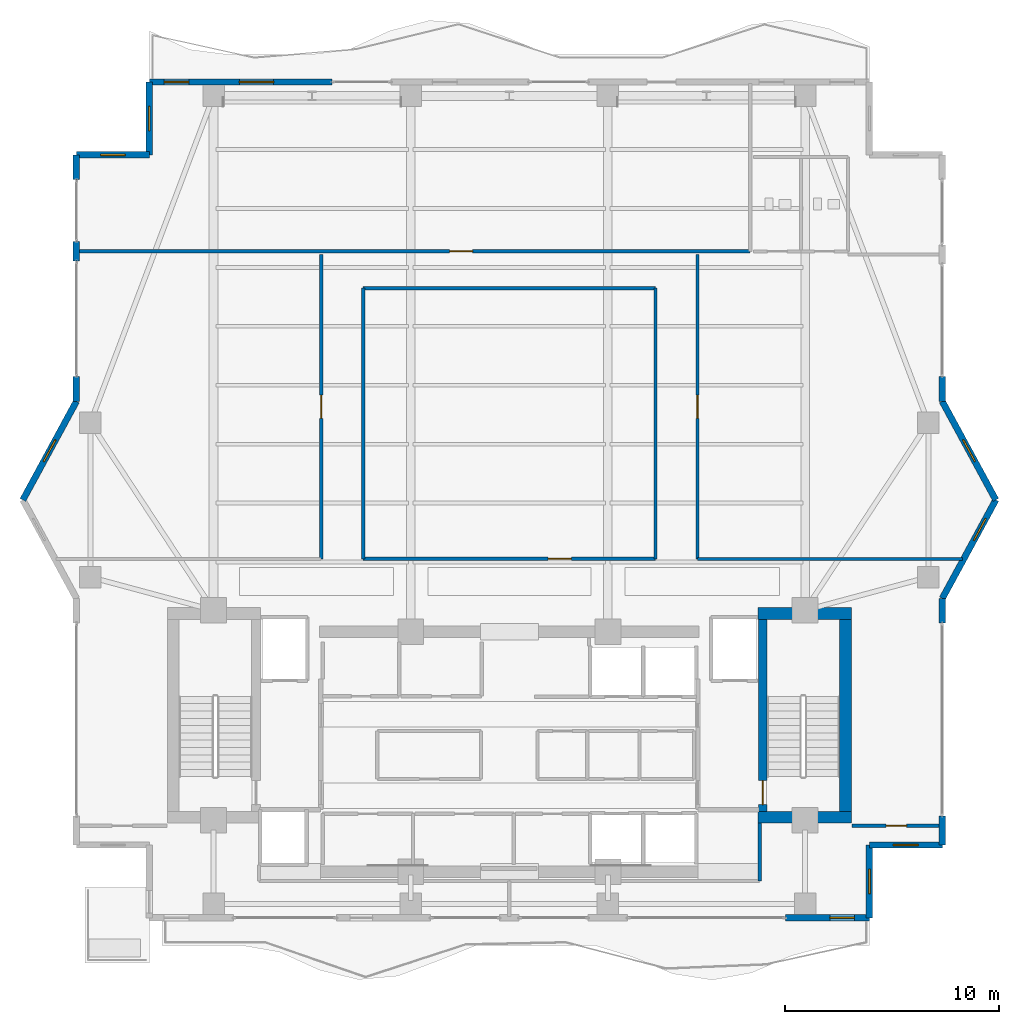
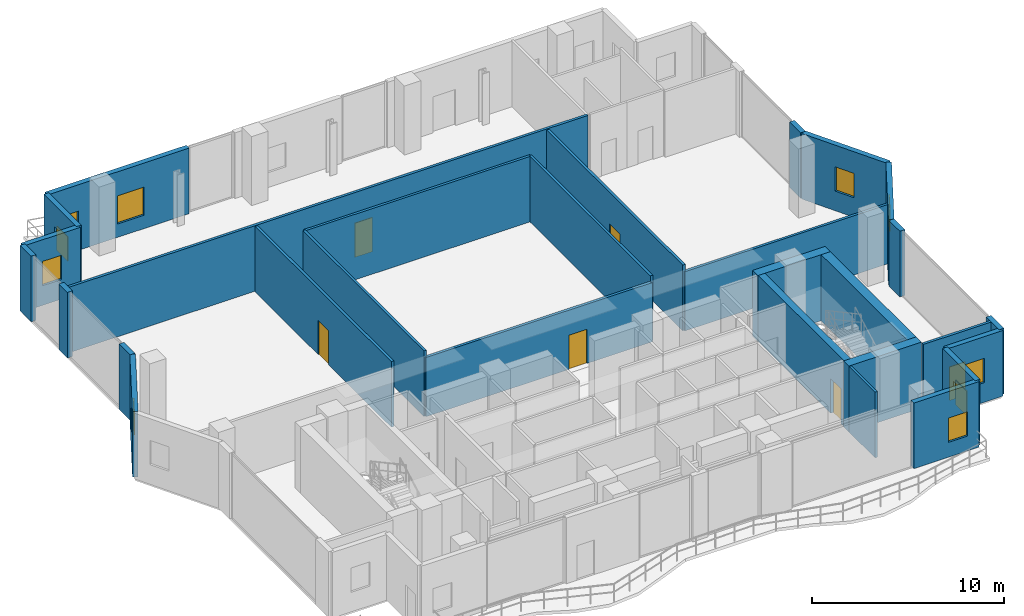
# One storey, part 20 of 24: 29 walls, 10 windows, 6 doors, 16 openings.
"""IFC4 building model written with IfcOpenShell, lengths in metres."""

import ifcopenshell
import ifcopenshell.guid

model = None  # the IFC model being written
_history = None  # IfcOwnerHistory: only IFC2X3 demands one
_inside = {}  # id of a spatial element -> (the spatial element, [elements in it])
_under = {}  # id of a project, library or spatial element -> (it, [spatial elements below it])
_declared = {}  # id of a project -> (the project, [libraries it declares])
_typed = {}  # id of a type object -> (the type object, [elements of that type])
_made_of = {}  # id of a material, layer set ... -> (it, [elements and type objects made of it])


def new_model(schema):
    """Start an empty IFC model of exactly this schema.

    Asked for "IFC4X3", IfcOpenShell would pick the latest addendum, in which some entities
    have other attributes; the version numbers below select the first issue.
    IFC2X3 requires an IfcOwnerHistory on every rooted entity: one is made here for all.
    """
    global model, _history
    if schema == "IFC4X3":
        model = ifcopenshell.file(schema_version=(4, 3, 0, 0))
    else:
        model = ifcopenshell.file(schema=schema)
    _inside.clear()
    _under.clear()
    _declared.clear()
    _typed.clear()
    _made_of.clear()
    _history = None
    if model.schema == "IFC2X3":
        org = make("IfcOrganization", Name="unknown")
        user = make(
            "IfcPersonAndOrganization",
            ThePerson=make("IfcPerson", FamilyName="unknown"),
            TheOrganization=org,
        )
        app = make(
            "IfcApplication",
            ApplicationDeveloper=org,
            Version="unknown",
            ApplicationFullName="unknown",
            ApplicationIdentifier="unknown",
        )
        _history = make(
            "IfcOwnerHistory",
            OwningUser=user,
            OwningApplication=app,
            ChangeAction="ADDED",
            CreationDate=0,
        )
    return model


def make(cls, **values):
    """One entity of the class cls with the attributes given. An attribute that is None is left unset."""
    return model.create_entity(
        cls, **{name: value for name, value in values.items() if value is not None}
    )


def rooted(cls, **values):
    """An entity with a GlobalId (a new one), such as an element, a storey or a relation."""
    return make(cls, GlobalId=ifcopenshell.guid.new(), OwnerHistory=_history, **values)


def si_unit(unit_type, name, prefix=None):
    """IfcSIUnit, for example si_unit("LENGTHUNIT", "METRE", prefix="MILLI")."""
    return make("IfcSIUnit", UnitType=unit_type, Prefix=prefix, Name=name)


def assignment(units):
    """IfcUnitAssignment: the units of a project."""
    return None if units is None else make("IfcUnitAssignment", Units=units)


def point(xyz):
    """IfcCartesianPoint."""
    return None if xyz is None else make("IfcCartesianPoint", Coordinates=xyz)


def direction(xyz):
    """IfcDirection."""
    return None if xyz is None else make("IfcDirection", DirectionRatios=xyz)


def frame(location, z_axis=None, x_axis=None):
    """IfcAxis2Placement3D, a coordinate frame: its origin and axes. An axis left out is left unset."""
    return make(
        "IfcAxis2Placement3D",
        Location=point(location),
        Axis=direction(z_axis),
        RefDirection=direction(x_axis),
    )


def frame_2d(location, x_axis=None):
    """IfcAxis2Placement2D, a coordinate frame in the plane: its origin and x axis."""
    return make(
        "IfcAxis2Placement2D", Location=point(location), RefDirection=direction(x_axis)
    )


def origin():
    """The frame at (0, 0, 0) with its axes left unset."""
    return frame((0.0, 0.0, 0.0))


def place(relative_to, where):
    """IfcLocalPlacement: puts the frame where relative to a parent placement (None: the world)."""
    return make(
        "IfcLocalPlacement", PlacementRelTo=relative_to, RelativePlacement=where
    )


def context(
    kind, dimensions, precision=None, world=None, true_north=None, identifier=None
):
    """IfcGeometricRepresentationContext, for example the 3D "Model" context."""
    return make(
        "IfcGeometricRepresentationContext",
        ContextIdentifier=identifier,
        ContextType=kind,
        CoordinateSpaceDimension=dimensions,
        Precision=precision,
        WorldCoordinateSystem=world,
        TrueNorth=true_north,
    )


def subcontext(parent, identifier, kind, view, scale=None):
    """IfcGeometricRepresentationSubContext, for example "Body" below "Model"."""
    return make(
        "IfcGeometricRepresentationSubContext",
        ContextIdentifier=identifier,
        ContextType=kind,
        ParentContext=parent,
        TargetScale=scale,
        TargetView=view,
    )


def project(units=None, contexts=None):
    """IfcProject with its units and contexts."""
    return rooted(
        "IfcProject",
        Name="project",
        RepresentationContexts=contexts,
        UnitsInContext=assignment(units),
    )


def spatial(cls, under=None, at=None, **own):
    """A site, building, storey or space (cls), placed at a placement, below another one or the project."""
    s = rooted(cls, ObjectPlacement=at, **own)
    if under is not None:
        _under.setdefault(under.id(), (under, []))[1].append(s)
    return s


def profile(cls, at=None, kind="AREA", **sizes):
    """A parametric profile (cls). Its sizes go by their IFC names, for example OverallWidth=200.0."""
    return make(cls, ProfileType=kind, Position=at, **sizes)


def rectangle(**sizes):
    """IfcRectangleProfileDef."""
    return profile("IfcRectangleProfileDef", **sizes)


def extrude(swept, where, along, depth):
    """IfcExtrudedAreaSolid: the profile swept, set in the frame where, extruded along a direction by depth."""
    return make(
        "IfcExtrudedAreaSolid",
        SweptArea=swept,
        Position=where,
        ExtrudedDirection=direction(along),
        Depth=depth,
    )


def shape(context_of_items, identifier, shape_type, items):
    """IfcShapeRepresentation: the items that make up one representation, for example the "Body"."""
    return make(
        "IfcShapeRepresentation",
        ContextOfItems=context_of_items,
        RepresentationIdentifier=identifier,
        RepresentationType=shape_type,
        Items=items,
    )


def material(Name=None, Category=None):
    """IfcMaterial."""
    return make("IfcMaterial", Name=Name, Category=Category)


def layer(
    of_material, thickness, ventilated=None, Name=None, Category=None, Priority=None
):
    """IfcMaterialLayer: one layer of a wall or slab, of a material (None: an air gap)."""
    return make(
        "IfcMaterialLayer",
        Material=of_material,
        LayerThickness=thickness,
        IsVentilated=ventilated,
        Name=Name,
        Category=Category,
        Priority=Priority,
    )


def layer_set(layers, Name=None):
    """IfcMaterialLayerSet."""
    return make("IfcMaterialLayerSet", MaterialLayers=layers, LayerSetName=Name)


def made_of(thing, what):
    """Note that an element or type object is made of a material, layer set ...; save() writes the relation."""
    if what is not None:
        _made_of.setdefault(what.id(), (what, []))[1].append(thing)
    return thing


def type_object(cls, material=None, **own):
    """A type object (cls), such as IfcWallType, which elements share."""
    return made_of(rooted(cls, **own), material)


def element(
    cls,
    number,
    at=None,
    inside=None,
    cuts=None,
    type_object=None,
    material=None,
    context=None,
    identifier="Body",
    shape_type=None,
    held_by="IfcProductDefinitionShape",
    body=None,
    shapes=None,
    **own,
):
    """One element of the class cls, such as IfcWall. Its Tag is "e" and its number.

    at: its placement. inside: the storey or other place that contains it. cuts: it is an
    opening in that element (IfcRelVoidsElement). A single representation is given by context,
    identifier, shape_type and body (its items); several are given by shapes. held_by: the class
    of the entity that holds the representations. save() writes the other relations.
    """
    e = rooted(cls, Tag="e%d" % number, ObjectPlacement=at, **own)
    if body is not None:
        shapes = [shape(context, identifier, shape_type, body)]
    if shapes is not None:
        e.Representation = make(held_by, Representations=shapes)
    if inside is not None:
        _inside.setdefault(inside.id(), (inside, []))[1].append(e)
    if cuts is not None:
        rooted(
            "IfcRelVoidsElement", RelatingBuildingElement=cuts, RelatedOpeningElement=e
        )
    if type_object is not None:
        _typed.setdefault(type_object.id(), (type_object, []))[1].append(e)
    return made_of(e, material)


def fill(opening, filler):
    """IfcRelFillsElement: the door or window that sits in an opening."""
    return rooted(
        "IfcRelFillsElement",
        RelatingOpeningElement=opening,
        RelatedBuildingElement=filler,
    )


def aggregate(whole, parts):
    """IfcRelAggregates: a whole, such as a stair, and the parts it consists of."""
    return rooted("IfcRelAggregates", RelatingObject=whole, RelatedObjects=parts)


def save(model, path):
    """Write the relations noted so far, then the file.

    IfcRelAggregates (storeys below a building ...), IfcRelContainedInSpatialStructure (elements
    in a storey), IfcRelDefinesByType, IfcRelAssociatesMaterial and IfcRelDeclares: one each for
    every whole, place, type object, material and project.
    """
    for whole, parts in _under.values():
        aggregate(whole, parts)
    for where, things in _inside.values():
        rooted(
            "IfcRelContainedInSpatialStructure",
            RelatedElements=things,
            RelatingStructure=where,
        )
    for kind, things in _typed.values():
        rooted("IfcRelDefinesByType", RelatedObjects=things, RelatingType=kind)
    for what, things in _made_of.values():
        rooted("IfcRelAssociatesMaterial", RelatedObjects=things, RelatingMaterial=what)
    for by, libraries in _declared.values():
        rooted("IfcRelDeclares", RelatingContext=by, RelatedDefinitions=libraries)
    model.write(path)


model = new_model("IFC4")

# Units and contexts
model_context = context("Model", 3, precision=1e-05, world=origin(), true_north=direction((0.0, 1.0)))
body_context = subcontext(model_context, "Body", "Model", "MODEL_VIEW")
ifc_project = project(units=[si_unit("LENGTHUNIT", "METRE"), si_unit("AREAUNIT", "SQUARE_METRE"), si_unit("VOLUMEUNIT", "CUBIC_METRE"), si_unit("PLANEANGLEUNIT", "RADIAN"), si_unit("MASSUNIT", "GRAM", prefix="KILO")], contexts=[model_context])

# Site, building, storey
site_placement = place(None, origin())
site = spatial("IfcSite", under=ifc_project, at=site_placement, CompositionType="ELEMENT")
building_placement = place(site_placement, origin())
building = spatial("IfcBuilding", under=site, at=building_placement, Name="Zuhayl Quay Hotel", CompositionType="ELEMENT")
storey_placement = place(building_placement, frame((0.0, 0.0, 284.050048828125)))
storey = spatial("IfcBuildingStorey", under=building, at=storey_placement, Name="L72", CompositionType="ELEMENT", Elevation=284.050048828125)

# Walls
ifc_material_1 = material(Name="Concrete C50/60", Category="concrete")
ifc_layer_1 = layer(ifc_material_1, 0.550048828125, Name="Concrete C50/60", Category="concrete")
ifc_layer_set_1 = layer_set([ifc_layer_1], Name="Concrete C50/60")
wall_type_1 = type_object("IfcWallType", Name="WL_CORE_550", PredefinedType="SHEAR", material=ifc_layer_set_1)
wall_1_placement = place(storey_placement, frame((11.60009765625, 14.205078125, 0.0), z_axis=(0.0, 0.0, 1.0), x_axis=(1.0, 0.0, 0.0)))
element("IfcWall", 1, at=wall_1_placement, inside=storey, type_object=wall_type_1, Name="L72 Core Shear Wall CW_NE", PredefinedType="SHEAR", context=body_context, shape_type="SweptSolid", body=[
    extrude(rectangle(XDim=4.35986328125, YDim=0.550048828125, at=frame_2d((2.179931640625, 0.0))), origin(), (0.0, 0.0, 1.0), 4.2099609375),
])
wall_2_placement = place(storey_placement, frame((15.68505859375, 4.969970703125, 0.0), z_axis=(0.0, 0.0, 1.0), x_axis=(0.0, 1.0, 0.0)))
element("IfcWall", 2, at=wall_2_placement, inside=storey, type_object=wall_type_1, Name="L72 Core Shear Wall CW_E", PredefinedType="SHEAR", context=body_context, shape_type="SweptSolid", body=[
    extrude(rectangle(XDim=8.9599609375, YDim=0.550048828125, at=frame_2d((4.47998046875, 0.0))), origin(), (0.0, 0.0, 1.0), 4.2099609375),
])
wall_3_placement = place(storey_placement, frame((11.60009765625, 4.695068359375, 0.0), z_axis=(0.0, 0.0, 1.0), x_axis=(1.0, 0.0, 0.0)))
element("IfcWall", 3, at=wall_3_placement, inside=storey, type_object=wall_type_1, Name="L72 Core Shear Wall CW_SE", PredefinedType="SHEAR", context=body_context, shape_type="SweptSolid", body=[
    extrude(rectangle(XDim=4.35986328125, YDim=0.550048828125, at=frame_2d((2.179931640625, 0.0))), origin(), (0.0, 0.0, 1.0), 4.2099609375),
])

# Wall, opening, window
ifc_material_2 = material(Name="Precast concrete C45/55", Category="concrete")
ifc_layer_2 = layer(ifc_material_2, 0.300048828125, Name="Precast concrete C45/55", Category="concrete")
ifc_layer_set_2 = layer_set([ifc_layer_2], Name="Precast concrete C45/55")
wall_type_2 = type_object("IfcWallType", Name="WL_EXT_300", PredefinedType="STANDARD", material=ifc_layer_set_2)
wall_4_placement = place(storey_placement, frame((-22.699951171875, 19.5, 0.0), z_axis=(0.0, 0.0, 1.0), x_axis=(0.477505494629, 0.878628762675, 0.0)))
wall_4 = element("IfcWall", 4, at=wall_4_placement, inside=storey, type_object=wall_type_2, Name="L72 Exterior Precast Wall ENV_L72_EW04", PredefinedType="STANDARD", context=body_context, shape_type="SweptSolid", body=[
    extrude(rectangle(XDim=5.235595703125, YDim=0.300048828125, at=frame_2d((2.61767578125, 0.0))), origin(), (0.0, 0.0, 1.0), 4.179931640625),
])
opening_1_placement = place(wall_4_placement, frame((2.042724609375, 0.0, 1.25)))
opening_1 = element("IfcOpeningElement", 5, at=opening_1_placement, cuts=wall_4, Name="Opening W01N", PredefinedType="OPENING", context=body_context, shape_type="SweptSolid", body=[
    extrude(rectangle(XDim=1.14990234375, YDim=1.550048828125, at=frame_2d((0.574951171875, 0.77490234375))), frame((0.0, 0.159912109375, 0.0), z_axis=(0.0, -1.0, 0.0), x_axis=(1.0, 0.0, 0.0)), (0.0, 0.0, 1.0), 0.320068359375),
])
ifc_material_3 = material(Name="Dark Ceramic-Fritted Solar Glass", Category="glass")
window_type_1 = type_object("IfcWindowType", Name="WN_NOTCH_1350", PartitioningType="SINGLE_PANEL", PredefinedType="WINDOW", material=ifc_material_3)
window_1_placement = place(opening_1_placement, origin())
window_1 = element("IfcWindow", 6, at=window_1_placement, inside=storey, type_object=window_type_1, Name="L72 Corner Notch Window 4", OverallHeight=1.550048828125, OverallWidth=1.14990234375, PartitioningType="SINGLE_PANEL", PredefinedType="WINDOW", context=body_context, shape_type="SweptSolid", body=[
    extrude(rectangle(XDim=1.14990234375, YDim=1.550048828125, at=frame_2d((0.574951171875, 0.77490234375))), frame((0.0, 0.030029296875, 0.0), z_axis=(0.0, -1.0, 0.0), x_axis=(1.0, 0.0, 0.0)), (0.0, 0.0, 1.0), 0.06005859375),
])
fill(opening_1, window_1)

# Walls
wall_5_placement = place(storey_placement, frame((-20.199951171875, 24.10009765625, 0.0), z_axis=(0.0, 0.0, 1.0), x_axis=(0.0, 1.0, 0.0)))
element("IfcWall", 7, at=wall_5_placement, inside=storey, type_object=wall_type_2, Name="L72 Exterior Precast Wall ENV_L72_E05_EW1", PredefinedType="STANDARD", context=body_context, shape_type="SweptSolid", body=[
    extrude(rectangle(XDim=1.14990234375, YDim=0.300048828125, at=frame_2d((0.574951171875, 0.0))), origin(), (0.0, 0.0, 1.0), 4.179931640625),
])
wall_6_placement = place(storey_placement, frame((-20.199951171875, 30.64990234375, 0.0), z_axis=(0.0, 0.0, 1.0), x_axis=(0.0, 1.0, 0.0)))
element("IfcWall", 8, at=wall_6_placement, inside=storey, type_object=wall_type_2, Name="L72 Exterior Precast Wall ENV_L72_E05_EW2", PredefinedType="STANDARD", context=body_context, shape_type="SweptSolid", body=[
    extrude(rectangle(XDim=0.900146484375, YDim=0.300048828125, at=frame_2d((0.4501953125, 0.0))), origin(), (0.0, 0.0, 1.0), 4.179931640625),
])
wall_7_placement = place(storey_placement, frame((-20.199951171875, 34.449951171875, 0.0), z_axis=(0.0, 0.0, 1.0), x_axis=(0.0, 1.0, 0.0)))
element("IfcWall", 9, at=wall_7_placement, inside=storey, type_object=wall_type_2, Name="L72 Exterior Precast Wall ENV_L72_E05_EW3", PredefinedType="STANDARD", context=body_context, shape_type="SweptSolid", body=[
    extrude(rectangle(XDim=1.150146484375, YDim=0.300048828125, at=frame_2d((0.5751953125, 0.0))), origin(), (0.0, 0.0, 1.0), 4.179931640625),
])

# Wall, opening, window
wall_8_placement = place(storey_placement, frame((-20.199951171875, 35.60009765625, 0.0), z_axis=(0.0, 0.0, 1.0), x_axis=(1.0, 0.0, 0.0)))
wall_8 = element("IfcWall", 10, at=wall_8_placement, inside=storey, type_object=wall_type_2, Name="L72 Exterior Precast Wall ENV_L72_EW06", PredefinedType="STANDARD", context=body_context, shape_type="SweptSolid", body=[
    extrude(rectangle(XDim=3.39990234375, YDim=0.300048828125, at=frame_2d((1.699951171875, 0.0))), origin(), (0.0, 0.0, 1.0), 4.179931640625),
])
opening_2_placement = place(wall_8_placement, frame((1.125, 0.0, 1.25)))
opening_2 = element("IfcOpeningElement", 11, at=opening_2_placement, cuts=wall_8, Name="Opening W01N", PredefinedType="OPENING", context=body_context, shape_type="SweptSolid", body=[
    extrude(rectangle(XDim=1.14990234375, YDim=1.550048828125, at=frame_2d((0.574951171875, 0.77490234375))), frame((0.0, 0.159912109375, 0.0), z_axis=(0.0, -1.0, 0.0), x_axis=(1.0, 0.0, 0.0)), (0.0, 0.0, 1.0), 0.320068359375),
])
window_2_placement = place(opening_2_placement, origin())
window_2 = element("IfcWindow", 12, at=window_2_placement, inside=storey, type_object=window_type_1, Name="L72 Corner Notch Window 6", OverallHeight=1.550048828125, OverallWidth=1.14990234375, PartitioningType="SINGLE_PANEL", PredefinedType="WINDOW", context=body_context, shape_type="SweptSolid", body=[
    extrude(rectangle(XDim=1.14990234375, YDim=1.550048828125, at=frame_2d((0.574951171875, 0.77490234375))), frame((0.0, 0.030029296875, 0.0), z_axis=(0.0, -1.0, 0.0), x_axis=(1.0, 0.0, 0.0)), (0.0, 0.0, 1.0), 0.06005859375),
])
fill(opening_2, window_2)

wall_9_placement = place(storey_placement, frame((-16.800048828125, 35.60009765625, 0.0), z_axis=(0.0, 0.0, 1.0), x_axis=(0.0, 1.0, 0.0)))
wall_9 = element("IfcWall", 13, at=wall_9_placement, inside=storey, type_object=wall_type_2, Name="L72 Exterior Precast Wall ENV_L72_EW07", PredefinedType="STANDARD", context=body_context, shape_type="SweptSolid", body=[
    extrude(rectangle(XDim=3.39990234375, YDim=0.300048828125, at=frame_2d((1.699951171875, 0.0))), origin(), (0.0, 0.0, 1.0), 4.179931640625),
])
opening_3_placement = place(wall_9_placement, frame((1.125, 0.0, 1.25)))
opening_3 = element("IfcOpeningElement", 14, at=opening_3_placement, cuts=wall_9, Name="Opening W01N", PredefinedType="OPENING", context=body_context, shape_type="SweptSolid", body=[
    extrude(rectangle(XDim=1.14990234375, YDim=1.550048828125, at=frame_2d((0.574951171875, 0.77490234375))), frame((0.0, 0.159912109375, 0.0), z_axis=(0.0, -1.0, 0.0), x_axis=(1.0, 0.0, 0.0)), (0.0, 0.0, 1.0), 0.320068359375),
])
window_3_placement = place(opening_3_placement, origin())
window_3 = element("IfcWindow", 15, at=window_3_placement, inside=storey, type_object=window_type_1, Name="L72 Corner Notch Window 7", OverallHeight=1.550048828125, OverallWidth=1.14990234375, PartitioningType="SINGLE_PANEL", PredefinedType="WINDOW", context=body_context, shape_type="SweptSolid", body=[
    extrude(rectangle(XDim=1.14990234375, YDim=1.550048828125, at=frame_2d((0.574951171875, 0.77490234375))), frame((0.0, 0.030029296875, 0.0), z_axis=(0.0, -1.0, 0.0), x_axis=(1.0, 0.0, 0.0)), (0.0, 0.0, 1.0), 0.06005859375),
])
fill(opening_3, window_3)

# Wall, openings, windows
wall_10_placement = place(storey_placement, frame((-16.800048828125, 39.0, 0.0), z_axis=(0.0, 0.0, 1.0), x_axis=(1.0, 0.0, 0.0)))
wall_10 = element("IfcWall", 16, at=wall_10_placement, inside=storey, type_object=wall_type_2, Name="L72 Exterior Precast Wall ENV_L72_N_EW1", PredefinedType="STANDARD", context=body_context, shape_type="SweptSolid", body=[
    extrude(rectangle(XDim=8.52001953125, YDim=0.300048828125, at=frame_2d((4.260009765625, 0.0))), origin(), (0.0, 0.0, 1.0), 4.179931640625),
])
opening_4_placement = place(wall_10_placement, frame((4.199951171875, 0.0, 0.85009765625)))
opening_4 = element("IfcOpeningElement", 17, at=opening_4_placement, cuts=wall_10, Name="Opening W01", PredefinedType="OPENING", context=body_context, shape_type="SweptSolid", body=[
    extrude(rectangle(XDim=1.60009765625, YDim=1.800048828125, at=frame_2d((0.800048828125, 0.89990234375))), frame((0.0, 0.159912109375, 0.0), z_axis=(0.0, -1.0, 0.0), x_axis=(1.0, 0.0, 0.0)), (0.0, 0.0, 1.0), 0.320068359375),
])
opening_5_placement = place(wall_10_placement, frame((0.695068359375, 0.0, 0.949951171875)))
opening_5 = element("IfcOpeningElement", 18, at=opening_5_placement, cuts=wall_10, Name="Opening W01N", PredefinedType="OPENING", context=body_context, shape_type="SweptSolid", body=[
    extrude(rectangle(XDim=1.14990234375, YDim=1.550048828125, at=frame_2d((0.574951171875, 0.77490234375))), frame((0.0, 0.159912109375, 0.0), z_axis=(0.0, -1.0, 0.0), x_axis=(1.0, 0.0, 0.0)), (0.0, 0.0, 1.0), 0.320068359375),
])
window_4_placement = place(opening_5_placement, origin())
window_4 = element("IfcWindow", 19, at=window_4_placement, inside=storey, type_object=window_type_1, Name="L72 Operable Facade Window 1-1", OverallHeight=1.550048828125, OverallWidth=1.14990234375, PartitioningType="SINGLE_PANEL", PredefinedType="WINDOW", context=body_context, shape_type="SweptSolid", body=[
    extrude(rectangle(XDim=1.14990234375, YDim=1.550048828125, at=frame_2d((0.574951171875, 0.77490234375))), frame((0.0, 0.030029296875, 0.0), z_axis=(0.0, -1.0, 0.0), x_axis=(1.0, 0.0, 0.0)), (0.0, 0.0, 1.0), 0.06005859375),
])
fill(opening_5, window_4)
window_type_2 = type_object("IfcWindowType", Name="WN_OPERABLE_1600", PartitioningType="DOUBLE_PANEL_VERTICAL", PredefinedType="WINDOW", material=ifc_material_3)
window_5_placement = place(opening_4_placement, origin())
window_5 = element("IfcWindow", 20, at=window_5_placement, inside=storey, type_object=window_type_2, Name="L72 North Operable Casement Window", OverallHeight=1.800048828125, OverallWidth=1.60009765625, PartitioningType="SINGLE_PANEL", PredefinedType="WINDOW", context=body_context, shape_type="SweptSolid", body=[
    extrude(rectangle(XDim=1.60009765625, YDim=1.800048828125, at=frame_2d((0.800048828125, 0.89990234375))), frame((0.0, 0.030029296875, 0.0), z_axis=(0.0, -1.0, 0.0), x_axis=(1.0, 0.0, 0.0)), (0.0, 0.0, 1.0), 0.06005859375),
])
fill(opening_4, window_5)

# Wall
wall_11_placement = place(storey_placement, frame((20.199951171875, 25.25, 0.0), z_axis=(0.0, 0.0, 1.0), x_axis=(0.0, -1.0, 0.0)))
element("IfcWall", 21, at=wall_11_placement, inside=storey, type_object=wall_type_2, Name="L72 Exterior Precast Wall ENV_L72_E11_EW3", PredefinedType="STANDARD", context=body_context, shape_type="SweptSolid", body=[
    extrude(rectangle(XDim=1.14990234375, YDim=0.300048828125, at=frame_2d((0.574951171875, 0.0))), origin(), (0.0, 0.0, 1.0), 4.179931640625),
])

# Wall, opening, window
wall_12_placement = place(storey_placement, frame((20.199951171875, 24.10009765625, 0.0), z_axis=(0.0, 0.0, 1.0), x_axis=(0.477505494629, -0.878628762675, 0.0)))
wall_12 = element("IfcWall", 22, at=wall_12_placement, inside=storey, type_object=wall_type_2, Name="L72 Exterior Precast Wall ENV_L72_EW12", PredefinedType="STANDARD", context=body_context, shape_type="SweptSolid", body=[
    extrude(rectangle(XDim=5.235595703125, YDim=0.300048828125, at=frame_2d((2.61767578125, 0.0))), origin(), (0.0, 0.0, 1.0), 4.179931640625),
])
opening_6_placement = place(wall_12_placement, frame((2.042724609375, 0.0, 1.25)))
opening_6 = element("IfcOpeningElement", 23, at=opening_6_placement, cuts=wall_12, Name="Opening W01N", PredefinedType="OPENING", context=body_context, shape_type="SweptSolid", body=[
    extrude(rectangle(XDim=1.14990234375, YDim=1.550048828125, at=frame_2d((0.574951171875, 0.77490234375))), frame((0.0, 0.159912109375, 0.0), z_axis=(0.0, -1.0, 0.0), x_axis=(1.0, 0.0, 0.0)), (0.0, 0.0, 1.0), 0.320068359375),
])
window_6_placement = place(opening_6_placement, origin())
window_6 = element("IfcWindow", 24, at=window_6_placement, inside=storey, type_object=window_type_1, Name="L72 Corner Notch Window 12", OverallHeight=1.550048828125, OverallWidth=1.14990234375, PartitioningType="SINGLE_PANEL", PredefinedType="WINDOW", context=body_context, shape_type="SweptSolid", body=[
    extrude(rectangle(XDim=1.14990234375, YDim=1.550048828125, at=frame_2d((0.574951171875, 0.77490234375))), frame((0.0, 0.030029296875, 0.0), z_axis=(0.0, -1.0, 0.0), x_axis=(1.0, 0.0, 0.0)), (0.0, 0.0, 1.0), 0.06005859375),
])
fill(opening_6, window_6)

wall_13_placement = place(storey_placement, frame((22.699951171875, 19.5, 0.0), z_axis=(0.0, 0.0, 1.0), x_axis=(-0.477505494629, -0.878628762675, 0.0)))
wall_13 = element("IfcWall", 25, at=wall_13_placement, inside=storey, type_object=wall_type_2, Name="L72 Exterior Precast Wall ENV_L72_EW13", PredefinedType="STANDARD", context=body_context, shape_type="SweptSolid", body=[
    extrude(rectangle(XDim=5.235595703125, YDim=0.300048828125, at=frame_2d((2.61767578125, 0.0))), origin(), (0.0, 0.0, 1.0), 4.179931640625),
])
opening_7_placement = place(wall_13_placement, frame((0.994384765625, 0.0, 1.25)))
opening_7 = element("IfcOpeningElement", 26, at=opening_7_placement, cuts=wall_13, Name="Opening W01N", PredefinedType="OPENING", context=body_context, shape_type="SweptSolid", body=[
    extrude(rectangle(XDim=1.14990234375, YDim=1.550048828125, at=frame_2d((0.574951171875, 0.77490234375))), frame((0.0, 0.159912109375, 0.0), z_axis=(0.0, -1.0, 0.0), x_axis=(1.0, 0.0, 0.0)), (0.0, 0.0, 1.0), 0.320068359375),
])
window_7_placement = place(opening_7_placement, origin())
window_7 = element("IfcWindow", 27, at=window_7_placement, inside=storey, type_object=window_type_1, Name="L72 Corner Notch Window 13", OverallHeight=1.550048828125, OverallWidth=1.14990234375, PartitioningType="SINGLE_PANEL", PredefinedType="WINDOW", context=body_context, shape_type="SweptSolid", body=[
    extrude(rectangle(XDim=1.14990234375, YDim=1.550048828125, at=frame_2d((0.574951171875, 0.77490234375))), frame((0.0, 0.030029296875, 0.0), z_axis=(0.0, -1.0, 0.0), x_axis=(1.0, 0.0, 0.0)), (0.0, 0.0, 1.0), 0.06005859375),
])
fill(opening_7, window_7)

# Walls
wall_14_placement = place(storey_placement, frame((20.199951171875, 14.89990234375, 0.0), z_axis=(0.0, 0.0, 1.0), x_axis=(0.0, -1.0, 0.0)))
element("IfcWall", 28, at=wall_14_placement, inside=storey, type_object=wall_type_2, Name="L72 Exterior Precast Wall ENV_L72_E14_EW1", PredefinedType="STANDARD", context=body_context, shape_type="SweptSolid", body=[
    extrude(rectangle(XDim=1.14990234375, YDim=0.300048828125, at=frame_2d((0.574951171875, 0.0))), origin(), (0.0, 0.0, 1.0), 4.179931640625),
])
wall_15_placement = place(storey_placement, frame((20.199951171875, 4.75, 0.0), z_axis=(0.0, 0.0, 1.0), x_axis=(0.0, -1.0, 0.0)))
element("IfcWall", 29, at=wall_15_placement, inside=storey, type_object=wall_type_2, Name="L72 Exterior Precast Wall ENV_L72_E14_EW2", PredefinedType="STANDARD", context=body_context, shape_type="SweptSolid", body=[
    extrude(rectangle(XDim=1.35009765625, YDim=0.300048828125, at=frame_2d((0.675048828125, 0.0))), origin(), (0.0, 0.0, 1.0), 4.179931640625),
])

# Wall, opening, window
wall_16_placement = place(storey_placement, frame((20.199951171875, 3.39990234375, 0.0), z_axis=(0.0, 0.0, 1.0), x_axis=(-1.0, 0.0, 0.0)))
wall_16 = element("IfcWall", 30, at=wall_16_placement, inside=storey, type_object=wall_type_2, Name="L72 Exterior Precast Wall ENV_L72_EW15", PredefinedType="STANDARD", context=body_context, shape_type="SweptSolid", body=[
    extrude(rectangle(XDim=3.39990234375, YDim=0.300048828125, at=frame_2d((1.699951171875, 0.0))), origin(), (0.0, 0.0, 1.0), 4.179931640625),
])
opening_8_placement = place(wall_16_placement, frame((1.125, 0.0, 1.25)))
opening_8 = element("IfcOpeningElement", 31, at=opening_8_placement, cuts=wall_16, Name="Opening W01N", PredefinedType="OPENING", context=body_context, shape_type="SweptSolid", body=[
    extrude(rectangle(XDim=1.14990234375, YDim=1.550048828125, at=frame_2d((0.574951171875, 0.77490234375))), frame((0.0, 0.159912109375, 0.0), z_axis=(0.0, -1.0, 0.0), x_axis=(1.0, 0.0, 0.0)), (0.0, 0.0, 1.0), 0.320068359375),
])
window_8_placement = place(opening_8_placement, origin())
window_8 = element("IfcWindow", 32, at=window_8_placement, inside=storey, type_object=window_type_1, Name="L72 Corner Notch Window 15", OverallHeight=1.550048828125, OverallWidth=1.14990234375, PartitioningType="SINGLE_PANEL", PredefinedType="WINDOW", context=body_context, shape_type="SweptSolid", body=[
    extrude(rectangle(XDim=1.14990234375, YDim=1.550048828125, at=frame_2d((0.574951171875, 0.77490234375))), frame((0.0, 0.030029296875, 0.0), z_axis=(0.0, -1.0, 0.0), x_axis=(1.0, 0.0, 0.0)), (0.0, 0.0, 1.0), 0.06005859375),
])
fill(opening_8, window_8)

wall_17_placement = place(storey_placement, frame((16.800048828125, 3.39990234375, 0.0), z_axis=(0.0, 0.0, 1.0), x_axis=(0.0, -1.0, 0.0)))
wall_17 = element("IfcWall", 33, at=wall_17_placement, inside=storey, type_object=wall_type_2, Name="L72 Exterior Precast Wall ENV_L72_EW16", PredefinedType="STANDARD", context=body_context, shape_type="SweptSolid", body=[
    extrude(rectangle(XDim=3.39990234375, YDim=0.300048828125, at=frame_2d((1.699951171875, 0.0))), origin(), (0.0, 0.0, 1.0), 4.179931640625),
])
opening_9_placement = place(wall_17_placement, frame((1.125, 0.0, 1.25)))
opening_9 = element("IfcOpeningElement", 34, at=opening_9_placement, cuts=wall_17, Name="Opening W01N", PredefinedType="OPENING", context=body_context, shape_type="SweptSolid", body=[
    extrude(rectangle(XDim=1.14990234375, YDim=1.550048828125, at=frame_2d((0.574951171875, 0.77490234375))), frame((0.0, 0.159912109375, 0.0), z_axis=(0.0, -1.0, 0.0), x_axis=(1.0, 0.0, 0.0)), (0.0, 0.0, 1.0), 0.320068359375),
])
window_9_placement = place(opening_9_placement, origin())
window_9 = element("IfcWindow", 35, at=window_9_placement, inside=storey, type_object=window_type_1, Name="L72 Corner Notch Window 16", OverallHeight=1.550048828125, OverallWidth=1.14990234375, PartitioningType="SINGLE_PANEL", PredefinedType="WINDOW", context=body_context, shape_type="SweptSolid", body=[
    extrude(rectangle(XDim=1.14990234375, YDim=1.550048828125, at=frame_2d((0.574951171875, 0.77490234375))), frame((0.0, 0.030029296875, 0.0), z_axis=(0.0, -1.0, 0.0), x_axis=(1.0, 0.0, 0.0)), (0.0, 0.0, 1.0), 0.06005859375),
])
fill(opening_9, window_9)

wall_18_placement = place(storey_placement, frame((16.800048828125, 0.0, 0.0), z_axis=(0.0, 0.0, 1.0), x_axis=(-1.0, 0.0, 0.0)))
wall_18 = element("IfcWall", 36, at=wall_18_placement, inside=storey, type_object=wall_type_2, Name="L72 Exterior Precast Wall ENV_L72_S_EW1", PredefinedType="STANDARD", context=body_context, shape_type="SweptSolid", body=[
    extrude(rectangle(XDim=3.920166015625, YDim=0.300048828125, at=frame_2d((1.9599609375, 0.0))), origin(), (0.0, 0.0, 1.0), 4.179931640625),
])
opening_10_placement = place(wall_18_placement, frame((0.695068359375, 0.0, 0.949951171875)))
opening_10 = element("IfcOpeningElement", 37, at=opening_10_placement, cuts=wall_18, Name="Opening W01N", PredefinedType="OPENING", context=body_context, shape_type="SweptSolid", body=[
    extrude(rectangle(XDim=1.14990234375, YDim=1.550048828125, at=frame_2d((0.574951171875, 0.77490234375))), frame((0.0, 0.159912109375, 0.0), z_axis=(0.0, -1.0, 0.0), x_axis=(1.0, 0.0, 0.0)), (0.0, 0.0, 1.0), 0.320068359375),
])
window_10_placement = place(opening_10_placement, origin())
window_10 = element("IfcWindow", 38, at=window_10_placement, inside=storey, type_object=window_type_1, Name="L72 Operable Facade Window 1-1", OverallHeight=1.550048828125, OverallWidth=1.14990234375, PartitioningType="SINGLE_PANEL", PredefinedType="WINDOW", context=body_context, shape_type="SweptSolid", body=[
    extrude(rectangle(XDim=1.14990234375, YDim=1.550048828125, at=frame_2d((0.574951171875, 0.77490234375))), frame((0.0, 0.030029296875, 0.0), z_axis=(0.0, -1.0, 0.0), x_axis=(1.0, 0.0, 0.0)), (0.0, 0.0, 1.0), 0.06005859375),
])
fill(opening_10, window_10)

# Walls
ifc_material_4 = material(Name="Acoustic Gypsum Partition STC-58")
ifc_layer_3 = layer(ifc_material_4, 0.14990234375, Name="Acoustic Gypsum Partition STC-58")
ifc_layer_set_3 = layer_set([ifc_layer_3], Name="Acoustic Gypsum Partition STC-58")
wall_type_3 = type_object("IfcWallType", Name="WL_PART_150", PredefinedType="PARTITIONING", material=ifc_layer_set_3)
wall_19_placement = place(storey_placement, frame((11.679931640625, 1.719970703125, 0.0), z_axis=(0.0, 0.0, 1.0), x_axis=(0.0, 1.0, 0.0)))
element("IfcWall", 39, at=wall_19_placement, inside=storey, type_object=wall_type_3, Name="L72 Partition IW_L72_Z4_SUN_SE_IN", PredefinedType="PARTITIONING", context=body_context, shape_type="SweptSolid", body=[
    extrude(rectangle(XDim=2.699951171875, YDim=0.14990234375, at=frame_2d((1.35009765625, 0.0))), origin(), (0.0, 0.0, 1.0), 4.179931640625),
])
wall_20_placement = place(storey_placement, frame((-6.820068359375, 29.3798828125, 0.0), z_axis=(0.0, 0.0, 1.0), x_axis=(1.0, 0.0, 0.0)))
element("IfcWall", 40, at=wall_20_placement, inside=storey, type_object=wall_type_3, Name="L72 Partition IW_L72_SOMMELIER_N", PredefinedType="PARTITIONING", context=body_context, shape_type="SweptSolid", body=[
    extrude(rectangle(XDim=13.64013671875, YDim=0.14990234375, at=frame_2d((6.820068359375, 0.0))), origin(), (0.0, 0.0, 1.0), 4.179931640625),
])
for number, where, z_axis, x_axis, name in (
    (41, (-6.820068359375, 16.75, 0.0), (0.0, 0.0, 1.0), (0.0, 1.0, 0.0), "L72 Partition IW_L72_SOMMELIER_W"),
    (42, (6.820068359375, 16.75, 0.0), (0.0, 0.0, 1.0), (0.0, 1.0, 0.0), "L72 Partition IW_L72_SOMMELIER_E"),
):
    element("IfcWall", number, at=place(storey_placement, frame(where, z_axis=z_axis, x_axis=x_axis)), inside=storey, type_object=wall_type_3, Name=name, PredefinedType="PARTITIONING", context=body_context, shape_type="SweptSolid", body=[
        extrude(rectangle(XDim=12.6298828125, YDim=0.14990234375, at=frame_2d((6.31494140625, 0.0))), origin(), (0.0, 0.0, 1.0), 4.179931640625),
    ])
wall_21_placement = place(storey_placement, frame((8.780029296875, 16.75, 0.0), z_axis=(0.0, 0.0, 1.0), x_axis=(1.0, 0.0, 0.0)))
element("IfcWall", 43, at=wall_21_placement, inside=storey, type_object=wall_type_3, Name="L72 Partition IW_L72_SKY_KITCH_S", PredefinedType="PARTITIONING", context=body_context, shape_type="SweptSolid", body=[
    extrude(rectangle(XDim=12.365478515625, YDim=0.14990234375, at=frame_2d((6.1826171875, 0.0))), origin(), (0.0, 0.0, 1.0), 3.77587890625),
])

# Wall, opening, door
ifc_layer_4 = layer(ifc_material_4, 0.159912109375, Name="Acoustic Gypsum Partition STC-58")
ifc_layer_set_4 = layer_set([ifc_layer_4], Name="Acoustic Gypsum Partition STC-58")
wall_type_4 = type_object("IfcWallType", Name="WL_PART_CORR_160", PredefinedType="PARTITIONING", material=ifc_layer_set_4)
wall_22_placement = place(storey_placement, frame((15.97998046875, 4.300048828125, 0.0), z_axis=(0.0, 0.0, 1.0), x_axis=(1.0, 0.0, 0.0)))
wall_22 = element("IfcWall", 44, at=wall_22_placement, inside=storey, type_object=wall_type_4, Name="L72 Partition IW_L72_Z4_SUN_SE_N", PredefinedType="PARTITIONING", context=body_context, shape_type="SweptSolid", body=[
    extrude(rectangle(XDim=4.159912109375, YDim=0.159912109375, at=frame_2d((2.080078125, 0.0))), origin(), (0.0, 0.0, 1.0), 4.179931640625),
])
opening_11_placement = place(wall_22_placement, frame((1.60498046875, 0.0, 0.0)))
opening_11 = element("IfcOpeningElement", 45, at=opening_11_placement, cuts=wall_22, Name="Opening D03", PredefinedType="OPENING", context=body_context, shape_type="SweptSolid", body=[
    extrude(rectangle(XDim=0.949951171875, YDim=2.14990234375, at=frame_2d((0.47509765625, 1.074951171875))), frame((0.0, 0.08984375, 0.0), z_axis=(0.0, -1.0, 0.0), x_axis=(1.0, 0.0, 0.0)), (0.0, 0.0, 1.0), 0.179931640625),
])
ifc_material_5 = material(Name="Solid Walnut Acoustic Fire Door")
door_type_1 = type_object("IfcDoorType", Name="DR_SUITE_950", OperationType="NOTDEFINED", PredefinedType="DOOR", material=ifc_material_5)
door_1_placement = place(opening_11_placement, origin())
door_1 = element("IfcDoor", 46, at=door_1_placement, inside=storey, type_object=door_type_1, Name="L72 Sunset Salon SE Door", OperationType="SINGLE_SWING_LEFT", OverallHeight=2.14990234375, OverallWidth=0.949951171875, PredefinedType="DOOR", context=body_context, shape_type="SweptSolid", body=[
    extrude(rectangle(XDim=0.949951171875, YDim=2.14990234375, at=frame_2d((0.47509765625, 1.074951171875))), frame((0.0, 0.02490234375, 0.0), z_axis=(0.0, -1.0, 0.0), x_axis=(1.0, 0.0, 0.0)), (0.0, 0.0, 1.0), 0.050048828125),
])
fill(opening_11, door_1)

wall_23_placement = place(storey_placement, frame((-20.139892578125, 31.10009765625, 0.0), z_axis=(0.0, 0.0, 1.0), x_axis=(1.0, 0.0, 0.0)))
wall_23 = element("IfcWall", 47, at=wall_23_placement, inside=storey, type_object=wall_type_4, Name="L72 Partition IW_L72_SKY_REST_S", PredefinedType="PARTITIONING", context=body_context, shape_type="SweptSolid", body=[
    extrude(rectangle(XDim=31.3798828125, YDim=0.159912109375, at=frame_2d((15.68994140625, 0.0))), origin(), (0.0, 0.0, 1.0), 4.179931640625),
])
opening_12_placement = place(wall_23_placement, frame((17.35009765625, 0.0, 0.0)))
opening_12 = element("IfcOpeningElement", 48, at=opening_12_placement, cuts=wall_23, Name="Opening D05A", PredefinedType="OPENING", context=body_context, shape_type="SweptSolid", body=[
    extrude(rectangle(XDim=1.080078125, YDim=2.179931640625, at=frame_2d((0.5400390625, 1.08984375))), frame((0.0, 0.08984375, 0.0), z_axis=(0.0, -1.0, 0.0), x_axis=(1.0, 0.0, 0.0)), (0.0, 0.0, 1.0), 0.179931640625),
])
door_type_2 = type_object("IfcDoorType", Name="DR_INT_1100", OperationType="NOTDEFINED", PredefinedType="DOOR", material=ifc_material_5)
door_2_placement = place(opening_12_placement, origin())
door_2 = element("IfcDoor", 49, at=door_2_placement, inside=storey, type_object=door_type_2, Name="L72 Panoramic Gulf Sky Restaurant Door", OperationType="SINGLE_SWING_RIGHT", OverallHeight=2.179931640625, OverallWidth=1.080078125, PredefinedType="DOOR", context=body_context, shape_type="SweptSolid", body=[
    extrude(rectangle(XDim=1.080078125, YDim=2.179931640625, at=frame_2d((0.5400390625, 1.08984375))), frame((0.0, 0.02490234375, 0.0), z_axis=(0.0, -1.0, 0.0), x_axis=(1.0, 0.0, 0.0)), (0.0, 0.0, 1.0), 0.050048828125),
])
fill(opening_12, door_2)

wall_24_placement = place(storey_placement, frame((-6.820068359375, 16.75, 0.0), z_axis=(0.0, 0.0, 1.0), x_axis=(1.0, 0.0, 0.0)))
wall_24 = element("IfcWall", 50, at=wall_24_placement, inside=storey, type_object=wall_type_4, Name="L72 Partition IW_L72_SOMMELIER_S", PredefinedType="PARTITIONING", context=body_context, shape_type="SweptSolid", body=[
    extrude(rectangle(XDim=13.64013671875, YDim=0.159912109375, at=frame_2d((6.820068359375, 0.0))), origin(), (0.0, 0.0, 1.0), 3.77587890625),
])
opening_13_placement = place(wall_24_placement, frame((8.6298828125, 0.0, 0.0)))
opening_13 = element("IfcOpeningElement", 51, at=opening_13_placement, cuts=wall_24, Name="Opening D05A", PredefinedType="OPENING", context=body_context, shape_type="SweptSolid", body=[
    extrude(rectangle(XDim=1.080078125, YDim=2.179931640625, at=frame_2d((0.5400390625, 1.08984375))), frame((0.0, 0.08984375, 0.0), z_axis=(0.0, -1.0, 0.0), x_axis=(1.0, 0.0, 0.0)), (0.0, 0.0, 1.0), 0.179931640625),
])
door_3_placement = place(opening_13_placement, origin())
door_3 = element("IfcDoor", 52, at=door_3_placement, inside=storey, type_object=door_type_2, Name="L72 Wine Cellar Storage Room Door", OperationType="SINGLE_SWING_LEFT", OverallHeight=2.179931640625, OverallWidth=1.080078125, PredefinedType="DOOR", context=body_context, shape_type="SweptSolid", body=[
    extrude(rectangle(XDim=1.080078125, YDim=2.179931640625, at=frame_2d((0.5400390625, 1.08984375))), frame((0.0, 0.02490234375, 0.0), z_axis=(0.0, -1.0, 0.0), x_axis=(1.0, 0.0, 0.0)), (0.0, 0.0, 1.0), 0.050048828125),
])
fill(opening_13, door_3)

wall_25_placement = place(storey_placement, frame((-8.780029296875, 16.75, 0.0), z_axis=(0.0, 0.0, 1.0), x_axis=(0.0, 1.0, 0.0)))
wall_25 = element("IfcWall", 53, at=wall_25_placement, inside=storey, type_object=wall_type_4, Name="L72 Partition IW_L72_PRIV_DIN_W_E", PredefinedType="PARTITIONING", context=body_context, shape_type="SweptSolid", body=[
    extrude(rectangle(XDim=14.199951171875, YDim=0.159912109375, at=frame_2d((7.10009765625, 0.0))), origin(), (0.0, 0.0, 1.0), 4.179931640625),
])
opening_14_placement = place(wall_25_placement, frame((6.56005859375, 0.0, 0.0)))
opening_14 = element("IfcOpeningElement", 54, at=opening_14_placement, cuts=wall_25, Name="Opening D05A", PredefinedType="OPENING", context=body_context, shape_type="SweptSolid", body=[
    extrude(rectangle(XDim=1.080078125, YDim=2.179931640625, at=frame_2d((0.5400390625, 1.08984375))), frame((0.0, 0.08984375, 0.0), z_axis=(0.0, -1.0, 0.0), x_axis=(1.0, 0.0, 0.0)), (0.0, 0.0, 1.0), 0.179931640625),
])
door_4_placement = place(opening_14_placement, origin())
door_4 = element("IfcDoor", 55, at=door_4_placement, inside=storey, type_object=door_type_2, Name="L72 West Prow Private Dining Salon Door", OperationType="SINGLE_SWING_RIGHT", OverallHeight=2.179931640625, OverallWidth=1.080078125, PredefinedType="DOOR", context=body_context, shape_type="SweptSolid", body=[
    extrude(rectangle(XDim=1.080078125, YDim=2.179931640625, at=frame_2d((0.5400390625, 1.08984375))), frame((0.0, 0.02490234375, 0.0), z_axis=(0.0, -1.0, 0.0), x_axis=(1.0, 0.0, 0.0)), (0.0, 0.0, 1.0), 0.050048828125),
])
fill(opening_14, door_4)

wall_26_placement = place(storey_placement, frame((8.780029296875, 16.75, 0.0), z_axis=(0.0, 0.0, 1.0), x_axis=(0.0, 1.0, 0.0)))
wall_26 = element("IfcWall", 56, at=wall_26_placement, inside=storey, type_object=wall_type_4, Name="L72 Partition IW_L72_SKY_KITCH_W", PredefinedType="PARTITIONING", context=body_context, shape_type="SweptSolid", body=[
    extrude(rectangle(XDim=14.199951171875, YDim=0.159912109375, at=frame_2d((7.10009765625, 0.0))), origin(), (0.0, 0.0, 1.0), 4.179931640625),
])
opening_15_placement = place(wall_26_placement, frame((6.56005859375, 0.0, 0.0)))
opening_15 = element("IfcOpeningElement", 57, at=opening_15_placement, cuts=wall_26, Name="Opening D05A", PredefinedType="OPENING", context=body_context, shape_type="SweptSolid", body=[
    extrude(rectangle(XDim=1.080078125, YDim=2.179931640625, at=frame_2d((0.5400390625, 1.08984375))), frame((0.0, 0.08984375, 0.0), z_axis=(0.0, -1.0, 0.0), x_axis=(1.0, 0.0, 0.0)), (0.0, 0.0, 1.0), 0.179931640625),
])
door_5_placement = place(opening_15_placement, origin())
door_5 = element("IfcDoor", 58, at=door_5_placement, inside=storey, type_object=door_type_2, Name="L72 Commercial Finishing Kitchen Door", OperationType="SINGLE_SWING_LEFT", OverallHeight=2.179931640625, OverallWidth=1.080078125, PredefinedType="DOOR", context=body_context, shape_type="SweptSolid", body=[
    extrude(rectangle(XDim=1.080078125, YDim=2.179931640625, at=frame_2d((0.5400390625, 1.08984375))), frame((0.0, 0.02490234375, 0.0), z_axis=(0.0, -1.0, 0.0), x_axis=(1.0, 0.0, 0.0)), (0.0, 0.0, 1.0), 0.050048828125),
])
fill(opening_15, door_5)

ifc_material_6 = material(Name="Concrete C60/75", Category="concrete")
ifc_layer_5 = layer(ifc_material_6, 0.39990234375, Name="Concrete C60/75", Category="concrete")
ifc_layer_set_5 = layer_set([ifc_layer_5], Name="Concrete C60/75")
wall_type_5 = type_object("IfcWallType", Name="WL_STAIR_400", PredefinedType="SHEAR", material=ifc_layer_set_5)
wall_27_placement = place(storey_placement, frame((11.820068359375, 13.929931640625, 0.0), z_axis=(0.0, 0.0, 1.0), x_axis=(0.0, -1.0, 0.0)))
wall_27 = element("IfcWall", 59, at=wall_27_placement, inside=storey, type_object=wall_type_5, Name="L72 Core Shear Wall SW_ST2", PredefinedType="SHEAR", context=body_context, shape_type="SweptSolid", body=[
    extrude(rectangle(XDim=8.9599609375, YDim=0.39990234375, at=frame_2d((4.47998046875, 0.0))), origin(), (0.0, 0.0, 1.0), 4.2099609375),
])
opening_16_placement = place(wall_27_placement, frame((7.530029296875, 0.0, 0.0)))
opening_16 = element("IfcOpeningElement", 60, at=opening_16_placement, cuts=wall_27, Name="Opening D01", PredefinedType="OPENING", context=body_context, shape_type="SweptSolid", body=[
    extrude(rectangle(XDim=1.1201171875, YDim=2.219970703125, at=frame_2d((0.56005859375, 1.10986328125))), frame((0.0, 0.2099609375, 0.0), z_axis=(0.0, -1.0, 0.0), x_axis=(1.0, 0.0, 0.0)), (0.0, 0.0, 1.0), 0.419921875),
])
ifc_material_7 = material(Name="Steel ASTM A992 Grade 50", Category="steel")
door_type_3 = type_object("IfcDoorType", Name="DR_STAIR_90_1100", OperationType="NOTDEFINED", PredefinedType="DOOR", material=ifc_material_7)
door_6_placement = place(opening_16_placement, origin())
door_6 = element("IfcDoor", 61, at=door_6_placement, inside=storey, type_object=door_type_3, Name="L72 Smokeproof Exit Stair ST2 Door", OperationType="SINGLE_SWING_RIGHT", OverallHeight=2.219970703125, OverallWidth=1.1201171875, PredefinedType="DOOR", context=body_context, shape_type="SweptSolid", body=[
    extrude(rectangle(XDim=1.1201171875, YDim=2.219970703125, at=frame_2d((0.56005859375, 1.10986328125))), frame((0.0, 0.02490234375, 0.0), z_axis=(0.0, -1.0, 0.0), x_axis=(1.0, 0.0, 0.0)), (0.0, 0.0, 1.0), 0.050048828125),
])
fill(opening_16, door_6)

save(model, "model.ifc")
